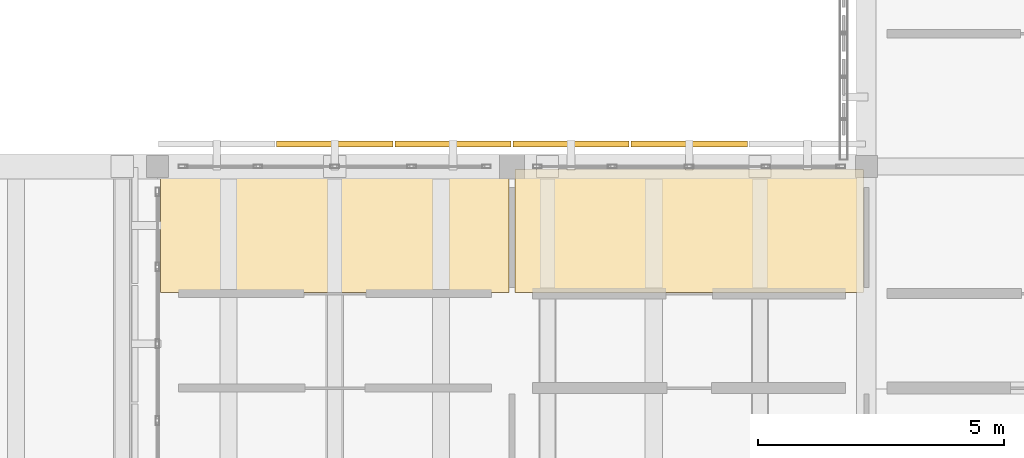
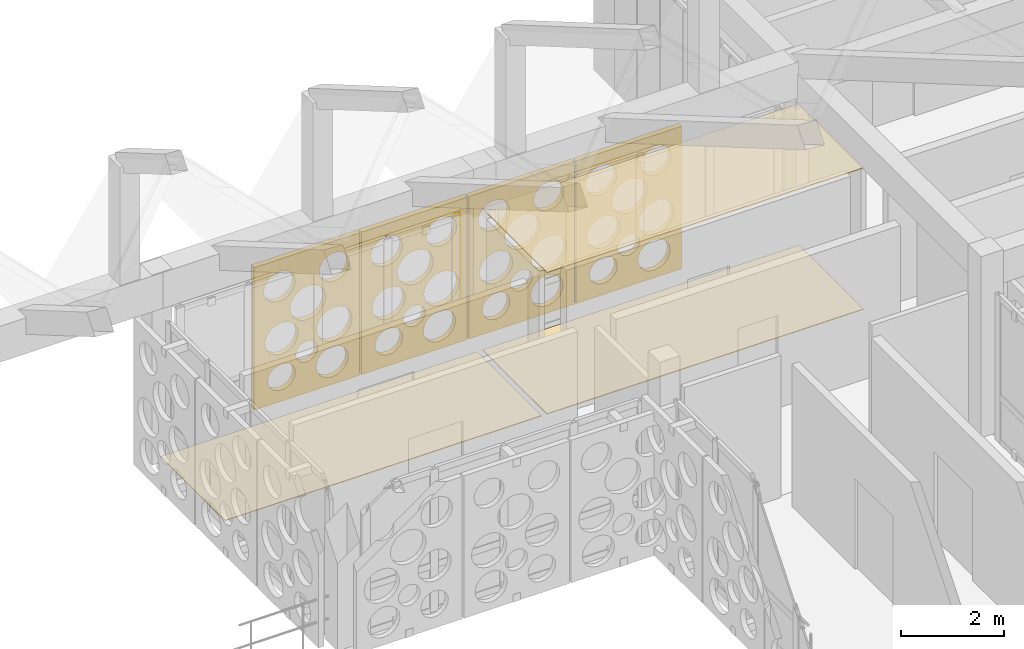
# One storey, part 167 of 171: 7 coverings.
"""IFC4 building model written with IfcOpenShell, lengths in metres."""

import ifcopenshell
import ifcopenshell.guid

model = None  # the IFC model being written
_history = None  # IfcOwnerHistory: only IFC2X3 demands one
_inside = {}  # id of a spatial element -> (the spatial element, [elements in it])
_under = {}  # id of a project, library or spatial element -> (it, [spatial elements below it])
_declared = {}  # id of a project -> (the project, [libraries it declares])
_typed = {}  # id of a type object -> (the type object, [elements of that type])
_made_of = {}  # id of a material, layer set ... -> (it, [elements and type objects made of it])


def new_model(schema):
    """Start an empty IFC model of exactly this schema.

    Asked for "IFC4X3", IfcOpenShell would pick the latest addendum, in which some entities
    have other attributes; the version numbers below select the first issue.
    IFC2X3 requires an IfcOwnerHistory on every rooted entity: one is made here for all.
    """
    global model, _history
    if schema == "IFC4X3":
        model = ifcopenshell.file(schema_version=(4, 3, 0, 0))
    else:
        model = ifcopenshell.file(schema=schema)
    _inside.clear()
    _under.clear()
    _declared.clear()
    _typed.clear()
    _made_of.clear()
    _history = None
    if model.schema == "IFC2X3":
        org = make("IfcOrganization", Name="unknown")
        user = make(
            "IfcPersonAndOrganization",
            ThePerson=make("IfcPerson", FamilyName="unknown"),
            TheOrganization=org,
        )
        app = make(
            "IfcApplication",
            ApplicationDeveloper=org,
            Version="unknown",
            ApplicationFullName="unknown",
            ApplicationIdentifier="unknown",
        )
        _history = make(
            "IfcOwnerHistory",
            OwningUser=user,
            OwningApplication=app,
            ChangeAction="ADDED",
            CreationDate=0,
        )
    return model


def make(cls, **values):
    """One entity of the class cls with the attributes given. An attribute that is None is left unset."""
    return model.create_entity(
        cls, **{name: value for name, value in values.items() if value is not None}
    )


def rooted(cls, **values):
    """An entity with a GlobalId (a new one), such as an element, a storey or a relation."""
    return make(cls, GlobalId=ifcopenshell.guid.new(), OwnerHistory=_history, **values)


def si_unit(unit_type, name, prefix=None):
    """IfcSIUnit, for example si_unit("LENGTHUNIT", "METRE", prefix="MILLI")."""
    return make("IfcSIUnit", UnitType=unit_type, Prefix=prefix, Name=name)


def assignment(units):
    """IfcUnitAssignment: the units of a project."""
    return None if units is None else make("IfcUnitAssignment", Units=units)


def point(xyz):
    """IfcCartesianPoint."""
    return None if xyz is None else make("IfcCartesianPoint", Coordinates=xyz)


def direction(xyz):
    """IfcDirection."""
    return None if xyz is None else make("IfcDirection", DirectionRatios=xyz)


def frame(location, z_axis=None, x_axis=None):
    """IfcAxis2Placement3D, a coordinate frame: its origin and axes. An axis left out is left unset."""
    return make(
        "IfcAxis2Placement3D",
        Location=point(location),
        Axis=direction(z_axis),
        RefDirection=direction(x_axis),
    )


def origin():
    """The frame at (0, 0, 0) with its axes left unset."""
    return frame((0.0, 0.0, 0.0))


def place(relative_to, where):
    """IfcLocalPlacement: puts the frame where relative to a parent placement (None: the world)."""
    return make(
        "IfcLocalPlacement", PlacementRelTo=relative_to, RelativePlacement=where
    )


def context(
    kind, dimensions, precision=None, world=None, true_north=None, identifier=None
):
    """IfcGeometricRepresentationContext, for example the 3D "Model" context."""
    return make(
        "IfcGeometricRepresentationContext",
        ContextIdentifier=identifier,
        ContextType=kind,
        CoordinateSpaceDimension=dimensions,
        Precision=precision,
        WorldCoordinateSystem=world,
        TrueNorth=true_north,
    )


def subcontext(parent, identifier, kind, view, scale=None):
    """IfcGeometricRepresentationSubContext, for example "Body" below "Model"."""
    return make(
        "IfcGeometricRepresentationSubContext",
        ContextIdentifier=identifier,
        ContextType=kind,
        ParentContext=parent,
        TargetScale=scale,
        TargetView=view,
    )


def project(units=None, contexts=None):
    """IfcProject with its units and contexts."""
    return rooted(
        "IfcProject",
        Name="project",
        RepresentationContexts=contexts,
        UnitsInContext=assignment(units),
    )


def spatial(cls, under=None, at=None, **own):
    """A site, building, storey or space (cls), placed at a placement, below another one or the project."""
    s = rooted(cls, ObjectPlacement=at, **own)
    if under is not None:
        _under.setdefault(under.id(), (under, []))[1].append(s)
    return s


def polyline(points):
    """IfcPolyline through the points."""
    return make("IfcPolyline", Points=[point(p) for p in points])


def outline(outer, holes=None, kind="AREA"):
    """IfcArbitraryClosedProfileDef: a profile drawn as a closed curve; with holes, ...WithVoids."""
    if holes is None:
        return make("IfcArbitraryClosedProfileDef", ProfileType=kind, OuterCurve=outer)
    return make(
        "IfcArbitraryProfileDefWithVoids",
        ProfileType=kind,
        OuterCurve=outer,
        InnerCurves=holes,
    )


def extrude(swept, where, along, depth):
    """IfcExtrudedAreaSolid: the profile swept, set in the frame where, extruded along a direction by depth."""
    return make(
        "IfcExtrudedAreaSolid",
        SweptArea=swept,
        Position=where,
        ExtrudedDirection=direction(along),
        Depth=depth,
    )


def shape(context_of_items, identifier, shape_type, items):
    """IfcShapeRepresentation: the items that make up one representation, for example the "Body"."""
    return make(
        "IfcShapeRepresentation",
        ContextOfItems=context_of_items,
        RepresentationIdentifier=identifier,
        RepresentationType=shape_type,
        Items=items,
    )


def material(Name=None, Category=None):
    """IfcMaterial."""
    return make("IfcMaterial", Name=Name, Category=Category)


def layer(
    of_material, thickness, ventilated=None, Name=None, Category=None, Priority=None
):
    """IfcMaterialLayer: one layer of a wall or slab, of a material (None: an air gap)."""
    return make(
        "IfcMaterialLayer",
        Material=of_material,
        LayerThickness=thickness,
        IsVentilated=ventilated,
        Name=Name,
        Category=Category,
        Priority=Priority,
    )


def layer_set(layers, Name=None):
    """IfcMaterialLayerSet."""
    return make("IfcMaterialLayerSet", MaterialLayers=layers, LayerSetName=Name)


def made_of(thing, what):
    """Note that an element or type object is made of a material, layer set ...; save() writes the relation."""
    if what is not None:
        _made_of.setdefault(what.id(), (what, []))[1].append(thing)
    return thing


def type_object(cls, material=None, **own):
    """A type object (cls), such as IfcWallType, which elements share."""
    return made_of(rooted(cls, **own), material)


def element(
    cls,
    number,
    at=None,
    inside=None,
    cuts=None,
    type_object=None,
    material=None,
    context=None,
    identifier="Body",
    shape_type=None,
    held_by="IfcProductDefinitionShape",
    body=None,
    shapes=None,
    **own,
):
    """One element of the class cls, such as IfcWall. Its Tag is "e" and its number.

    at: its placement. inside: the storey or other place that contains it. cuts: it is an
    opening in that element (IfcRelVoidsElement). A single representation is given by context,
    identifier, shape_type and body (its items); several are given by shapes. held_by: the class
    of the entity that holds the representations. save() writes the other relations.
    """
    e = rooted(cls, Tag="e%d" % number, ObjectPlacement=at, **own)
    if body is not None:
        shapes = [shape(context, identifier, shape_type, body)]
    if shapes is not None:
        e.Representation = make(held_by, Representations=shapes)
    if inside is not None:
        _inside.setdefault(inside.id(), (inside, []))[1].append(e)
    if cuts is not None:
        rooted(
            "IfcRelVoidsElement", RelatingBuildingElement=cuts, RelatedOpeningElement=e
        )
    if type_object is not None:
        _typed.setdefault(type_object.id(), (type_object, []))[1].append(e)
    return made_of(e, material)


def aggregate(whole, parts):
    """IfcRelAggregates: a whole, such as a stair, and the parts it consists of."""
    return rooted("IfcRelAggregates", RelatingObject=whole, RelatedObjects=parts)


def save(model, path):
    """Write the relations noted so far, then the file.

    IfcRelAggregates (storeys below a building ...), IfcRelContainedInSpatialStructure (elements
    in a storey), IfcRelDefinesByType, IfcRelAssociatesMaterial and IfcRelDeclares: one each for
    every whole, place, type object, material and project.
    """
    for whole, parts in _under.values():
        aggregate(whole, parts)
    for where, things in _inside.values():
        rooted(
            "IfcRelContainedInSpatialStructure",
            RelatedElements=things,
            RelatingStructure=where,
        )
    for kind, things in _typed.values():
        rooted("IfcRelDefinesByType", RelatedObjects=things, RelatingType=kind)
    for what, things in _made_of.values():
        rooted("IfcRelAssociatesMaterial", RelatedObjects=things, RelatingMaterial=what)
    for by, libraries in _declared.values():
        rooted("IfcRelDeclares", RelatingContext=by, RelatedDefinitions=libraries)
    model.write(path)


model = new_model("IFC4")

# Units and contexts
model_context = context("Model", 3, precision=1e-05, world=origin(), true_north=direction((0.0, 1.0)))
body_context = subcontext(model_context, "Body", "Model", "MODEL_VIEW")
ifc_project = project(units=[si_unit("LENGTHUNIT", "METRE"), si_unit("AREAUNIT", "SQUARE_METRE"), si_unit("VOLUMEUNIT", "CUBIC_METRE"), si_unit("PLANEANGLEUNIT", "RADIAN"), si_unit("MASSUNIT", "GRAM", prefix="KILO")], contexts=[model_context])

# Site, building, storey
site_placement = place(None, origin())
site = spatial("IfcSite", under=ifc_project, at=site_placement, CompositionType="ELEMENT")
building_placement = place(site_placement, origin())
building = spatial("IfcBuilding", under=site, at=building_placement, Name="Aldebral Square Health Centre", CompositionType="ELEMENT")
storey_placement = place(building_placement, frame((0.0, 0.0, 4.5)))
storey = spatial("IfcBuildingStorey", under=building, at=storey_placement, Name="L01", CompositionType="ELEMENT", Elevation=4.5)

# Coverings
ifc_material_1 = material(Name="Hygienic acoustic mineral ceiling tile")
ifc_layer_1 = layer(ifc_material_1, 0.02001953125, Name="Hygienic acoustic mineral ceiling tile")
ifc_layer_set_1 = layer_set([ifc_layer_1], Name="Hygienic acoustic mineral ceiling tile")
covering_type_1 = type_object("IfcCoveringType", Name="COV-CLG-AC", PredefinedType="CEILING", material=ifc_layer_set_1)
covering_1_placement = place(storey_placement, frame((0.0, 0.0, 3.340087890625)))
element("IfcCovering", 1, at=covering_1_placement, inside=storey, type_object=covering_type_1, Name="L01 Patient Information Desk 15.14N acoustic ceiling", PredefinedType="CEILING", context=body_context, shape_type="SweptSolid", body=[
    extrude(outline(polyline([(100.860107421875, 98.239990234375), (107.93994140625, 98.239990234375), (107.93994140625, 100.739990234375), (100.860107421875, 100.739990234375), (100.860107421875, 98.239990234375)])), origin(), (0.0, 0.0, 1.0), 0.02001953125),
])
ifc_material_2 = material(Name="Antimicrobial clinical vinyl flooring")
ifc_layer_2 = layer(ifc_material_2, 0.014892578125, Name="Antimicrobial clinical vinyl flooring")
ifc_layer_set_2 = layer_set([ifc_layer_2], Name="Antimicrobial clinical vinyl flooring")
covering_type_2 = type_object("IfcCoveringType", Name="COV-FLR-VN", PredefinedType="FLOORING", material=ifc_layer_set_2)
covering_2_placement = place(storey_placement, origin())
element("IfcCovering", 2, at=covering_2_placement, inside=storey, type_object=covering_type_2, Name="L01 Patient Information Desk 14.14N clinical flooring", PredefinedType="FLOORING", context=body_context, shape_type="SweptSolid", body=[
    extrude(outline(polyline([(93.659912109375, 98.239990234375), (100.739990234375, 98.239990234375), (100.739990234375, 100.739990234375), (93.659912109375, 100.739990234375), (93.659912109375, 98.239990234375)])), origin(), (0.0, 0.0, 1.0), 0.014892578125),
])
covering_3_placement = place(storey_placement, origin())
element("IfcCovering", 3, at=covering_3_placement, inside=storey, type_object=covering_type_2, Name="L01 Patient Information Desk 15.14N clinical flooring", PredefinedType="FLOORING", context=body_context, shape_type="SweptSolid", body=[
    extrude(outline(polyline([(100.860107421875, 98.239990234375), (107.93994140625, 98.239990234375), (107.93994140625, 100.739990234375), (100.860107421875, 100.739990234375), (100.860107421875, 98.239990234375)])), origin(), (0.0, 0.0, 1.0), 0.014892578125),
])
ifc_material_3 = material(Name="Cream cantera perforated stone screen", Category="masonry")
ifc_layer_3 = layer(ifc_material_3, 0.1201171875, Name="Cream cantera perforated stone screen", Category="masonry")
ifc_layer_set_3 = layer_set([ifc_layer_3], Name="Cream cantera perforated stone screen")
covering_type_3 = type_object("IfcCoveringType", Name="COV-SCR-120", PredefinedType="CLADDING", material=ifc_layer_set_3)
covering_4_placement = place(storey_placement, frame((100.780029296875, 101.260009765625, 0.0), z_axis=(0.0, 0.0, 1.0), x_axis=(-1.0, 0.0, 0.0)))
element("IfcCovering", 4, at=covering_4_placement, inside=storey, type_object=covering_type_3, Name="L01 V1 circular-aperture stone screen L01-V1-13-13-N.1", PredefinedType="CLADDING", context=body_context, shape_type="SweptSolid", body=[
    extrude(outline(polyline([(0.0, 0.0), (2.360107421875, 0.0), (2.360107421875, 3.3701171875), (0.0, 3.3701171875), (0.0, 0.0)]), holes=[polyline([(0.973388671875, 0.539306640625), (0.955810546875, 0.427978515625), (0.90478515625, 0.32763671875), (0.8251953125, 0.248046875), (0.724853515625, 0.197021484375), (0.613525390625, 0.17919921875), (0.50244140625, 0.197021484375), (0.402099609375, 0.248046875), (0.322509765625, 0.32763671875), (0.271240234375, 0.427978515625), (0.253662109375, 0.539306640625), (0.271240234375, 0.650390625), (0.322509765625, 0.750732421875), (0.402099609375, 0.830322265625), (0.50244140625, 0.881591796875), (0.613525390625, 0.899169921875), (0.724853515625, 0.881591796875), (0.8251953125, 0.830322265625), (0.90478515625, 0.750732421875), (0.955810546875, 0.650390625), (0.973388671875, 0.539306640625)]), polyline([(2.0546875, 0.572998046875), (2.039794921875, 0.4775390625), (1.995849609375, 0.3916015625), (1.927734375, 0.323486328125), (1.841796875, 0.279541015625), (1.746337890625, 0.264404296875), (1.651123046875, 0.279541015625), (1.565185546875, 0.323486328125), (1.496826171875, 0.3916015625), (1.453125, 0.4775390625), (1.43798828125, 0.572998046875), (1.453125, 0.668212890625), (1.496826171875, 0.754150390625), (1.565185546875, 0.822509765625), (1.651123046875, 0.8662109375), (1.746337890625, 0.88134765625), (1.841796875, 0.8662109375), (1.927734375, 0.822509765625), (1.995849609375, 0.754150390625), (2.039794921875, 0.668212890625), (2.0546875, 0.572998046875)]), polyline([(0.9619140625, 1.415283203125), (0.942626953125, 1.293212890625), (0.886474609375, 1.182861328125), (0.798828125, 1.095458984375), (0.688720703125, 1.039306640625), (0.56640625, 1.02001953125), (0.444091796875, 1.039306640625), (0.333984375, 1.095458984375), (0.246337890625, 1.182861328125), (0.190185546875, 1.293212890625), (0.1708984375, 1.415283203125), (0.190185546875, 1.53759765625), (0.246337890625, 1.64794921875), (0.333984375, 1.7353515625), (0.444091796875, 1.79150390625), (0.56640625, 1.810791015625), (0.688720703125, 1.79150390625), (0.798828125, 1.7353515625), (0.886474609375, 1.64794921875), (0.942626953125, 1.53759765625), (0.9619140625, 1.415283203125)]), polyline([(2.117919921875, 1.48291015625), (2.099853515625, 1.367919921875), (2.047119140625, 1.264404296875), (1.96484375, 1.18212890625), (1.861328125, 1.12939453125), (1.746337890625, 1.111083984375), (1.631591796875, 1.12939453125), (1.528076171875, 1.18212890625), (1.44580078125, 1.264404296875), (1.39306640625, 1.367919921875), (1.374755859375, 1.48291015625), (1.39306640625, 1.59765625), (1.44580078125, 1.701171875), (1.528076171875, 1.783447265625), (1.631591796875, 1.836181640625), (1.746337890625, 1.8544921875), (1.861328125, 1.836181640625), (1.96484375, 1.783447265625), (2.047119140625, 1.701171875), (2.099853515625, 1.59765625), (2.117919921875, 1.48291015625)]), polyline([(1.4248046875, 0.977294921875), (1.412841796875, 0.901611328125), (1.3779296875, 0.83349609375), (1.32373046875, 0.779296875), (1.255615234375, 0.74462890625), (1.179931640625, 0.732666015625), (1.1044921875, 0.74462890625), (1.0361328125, 0.779296875), (0.98193359375, 0.83349609375), (0.947265625, 0.901611328125), (0.935302734375, 0.977294921875), (0.947265625, 1.052978515625), (0.98193359375, 1.12109375), (1.0361328125, 1.17529296875), (1.1044921875, 1.2099609375), (1.179931640625, 1.221923828125), (1.255615234375, 1.2099609375), (1.32373046875, 1.17529296875), (1.3779296875, 1.12109375), (1.412841796875, 1.052978515625), (1.4248046875, 0.977294921875)]), polyline([(1.555419921875, 2.123046875), (1.535888671875, 1.999755859375), (1.479248046875, 1.888427734375), (1.390869140625, 1.80029296875), (1.27978515625, 1.74365234375), (1.156494140625, 1.72412109375), (1.032958984375, 1.74365234375), (0.921875, 1.80029296875), (0.83349609375, 1.888427734375), (0.77685546875, 1.999755859375), (0.75732421875, 2.123046875), (0.77685546875, 2.246337890625), (0.83349609375, 2.357666015625), (0.921875, 2.446044921875), (1.032958984375, 2.502685546875), (1.156494140625, 2.522216796875), (1.27978515625, 2.502685546875), (1.390869140625, 2.446044921875), (1.479248046875, 2.357666015625), (1.535888671875, 2.246337890625), (1.555419921875, 2.123046875)]), polyline([(0.904296875, 2.763427734375), (0.8876953125, 2.658935546875), (0.839599609375, 2.56494140625), (0.764892578125, 2.490234375), (0.6708984375, 2.442138671875), (0.56640625, 2.425537109375), (0.4619140625, 2.442138671875), (0.367919921875, 2.490234375), (0.293212890625, 2.56494140625), (0.2451171875, 2.658935546875), (0.228515625, 2.763427734375), (0.2451171875, 2.86767578125), (0.293212890625, 2.9619140625), (0.367919921875, 3.03662109375), (0.4619140625, 3.084716796875), (0.56640625, 3.101318359375), (0.6708984375, 3.084716796875), (0.764892578125, 3.03662109375), (0.839599609375, 2.9619140625), (0.8876953125, 2.86767578125), (0.904296875, 2.763427734375)]), polyline([(2.14599609375, 2.729736328125), (2.12890625, 2.620849609375), (2.078857421875, 2.5224609375), (2.000732421875, 2.444580078125), (1.902587890625, 2.39453125), (1.793701171875, 2.377197265625), (1.6845703125, 2.39453125), (1.58642578125, 2.444580078125), (1.50830078125, 2.5224609375), (1.458251953125, 2.620849609375), (1.441162109375, 2.729736328125), (1.458251953125, 2.838623046875), (1.50830078125, 2.93701171875), (1.58642578125, 3.014892578125), (1.6845703125, 3.06494140625), (1.793701171875, 3.082275390625), (1.902587890625, 3.06494140625), (2.000732421875, 3.014892578125), (2.078857421875, 2.93701171875), (2.12890625, 2.838623046875), (2.14599609375, 2.729736328125)])]), frame((0.0, 0.06005859375, 0.0), z_axis=(0.0, -1.0, 0.0), x_axis=(1.0, 0.0, 0.0)), (0.0, 0.0, 1.0), 0.1201171875),
])
covering_5_placement = place(storey_placement, frame((98.3798828125, 101.260009765625, 0.0), z_axis=(0.0, 0.0, 1.0), x_axis=(-1.0, 0.0, 0.0)))
element("IfcCovering", 5, at=covering_5_placement, inside=storey, type_object=covering_type_3, Name="L01 V1 circular-aperture stone screen L01-V1-13-13-N.2", PredefinedType="CLADDING", context=body_context, shape_type="SweptSolid", body=[
    extrude(outline(polyline([(0.0, 0.0), (2.35986328125, 0.0), (2.35986328125, 3.3701171875), (0.0, 3.3701171875), (0.0, 0.0)]), holes=[polyline([(0.973388671875, 0.539306640625), (0.955810546875, 0.427978515625), (0.90478515625, 0.32763671875), (0.8251953125, 0.248046875), (0.724853515625, 0.197021484375), (0.613525390625, 0.17919921875), (0.50244140625, 0.197021484375), (0.402099609375, 0.248046875), (0.322509765625, 0.32763671875), (0.271240234375, 0.427978515625), (0.253662109375, 0.539306640625), (0.271240234375, 0.650390625), (0.322509765625, 0.750732421875), (0.402099609375, 0.830322265625), (0.50244140625, 0.881591796875), (0.613525390625, 0.899169921875), (0.724853515625, 0.881591796875), (0.8251953125, 0.830322265625), (0.90478515625, 0.750732421875), (0.955810546875, 0.650390625), (0.973388671875, 0.539306640625)]), polyline([(2.0546875, 0.572998046875), (2.039794921875, 0.4775390625), (1.995849609375, 0.3916015625), (1.927734375, 0.323486328125), (1.841796875, 0.279541015625), (1.746337890625, 0.264404296875), (1.651123046875, 0.279541015625), (1.565185546875, 0.323486328125), (1.496826171875, 0.3916015625), (1.453125, 0.4775390625), (1.43798828125, 0.572998046875), (1.453125, 0.668212890625), (1.496826171875, 0.754150390625), (1.565185546875, 0.822509765625), (1.651123046875, 0.8662109375), (1.746337890625, 0.88134765625), (1.841796875, 0.8662109375), (1.927734375, 0.822509765625), (1.995849609375, 0.754150390625), (2.039794921875, 0.668212890625), (2.0546875, 0.572998046875)]), polyline([(0.9619140625, 1.415283203125), (0.942626953125, 1.293212890625), (0.886474609375, 1.182861328125), (0.798828125, 1.095458984375), (0.688720703125, 1.039306640625), (0.56640625, 1.02001953125), (0.444091796875, 1.039306640625), (0.333984375, 1.095458984375), (0.246337890625, 1.182861328125), (0.190185546875, 1.293212890625), (0.1708984375, 1.415283203125), (0.190185546875, 1.53759765625), (0.246337890625, 1.64794921875), (0.333984375, 1.7353515625), (0.444091796875, 1.79150390625), (0.56640625, 1.810791015625), (0.688720703125, 1.79150390625), (0.798828125, 1.7353515625), (0.886474609375, 1.64794921875), (0.942626953125, 1.53759765625), (0.9619140625, 1.415283203125)]), polyline([(2.117919921875, 1.48291015625), (2.099853515625, 1.367919921875), (2.047119140625, 1.264404296875), (1.96484375, 1.18212890625), (1.861328125, 1.12939453125), (1.746337890625, 1.111083984375), (1.631591796875, 1.12939453125), (1.528076171875, 1.18212890625), (1.44580078125, 1.264404296875), (1.39306640625, 1.367919921875), (1.374755859375, 1.48291015625), (1.39306640625, 1.59765625), (1.44580078125, 1.701171875), (1.528076171875, 1.783447265625), (1.631591796875, 1.836181640625), (1.746337890625, 1.8544921875), (1.861328125, 1.836181640625), (1.96484375, 1.783447265625), (2.047119140625, 1.701171875), (2.099853515625, 1.59765625), (2.117919921875, 1.48291015625)]), polyline([(1.4248046875, 0.977294921875), (1.412841796875, 0.901611328125), (1.3779296875, 0.83349609375), (1.32373046875, 0.779296875), (1.255615234375, 0.74462890625), (1.179931640625, 0.732666015625), (1.1044921875, 0.74462890625), (1.0361328125, 0.779296875), (0.98193359375, 0.83349609375), (0.947265625, 0.901611328125), (0.935302734375, 0.977294921875), (0.947265625, 1.052978515625), (0.98193359375, 1.12109375), (1.0361328125, 1.17529296875), (1.1044921875, 1.2099609375), (1.179931640625, 1.221923828125), (1.255615234375, 1.2099609375), (1.32373046875, 1.17529296875), (1.3779296875, 1.12109375), (1.412841796875, 1.052978515625), (1.4248046875, 0.977294921875)]), polyline([(1.555419921875, 2.123046875), (1.535888671875, 1.999755859375), (1.479248046875, 1.888427734375), (1.390869140625, 1.80029296875), (1.27978515625, 1.74365234375), (1.156494140625, 1.72412109375), (1.032958984375, 1.74365234375), (0.921875, 1.80029296875), (0.83349609375, 1.888427734375), (0.77685546875, 1.999755859375), (0.75732421875, 2.123046875), (0.77685546875, 2.246337890625), (0.83349609375, 2.357666015625), (0.921875, 2.446044921875), (1.032958984375, 2.502685546875), (1.156494140625, 2.522216796875), (1.27978515625, 2.502685546875), (1.390869140625, 2.446044921875), (1.479248046875, 2.357666015625), (1.535888671875, 2.246337890625), (1.555419921875, 2.123046875)]), polyline([(0.904296875, 2.763427734375), (0.8876953125, 2.658935546875), (0.839599609375, 2.56494140625), (0.764892578125, 2.490234375), (0.6708984375, 2.442138671875), (0.56640625, 2.425537109375), (0.4619140625, 2.442138671875), (0.367919921875, 2.490234375), (0.293212890625, 2.56494140625), (0.2451171875, 2.658935546875), (0.228515625, 2.763427734375), (0.2451171875, 2.86767578125), (0.293212890625, 2.9619140625), (0.367919921875, 3.03662109375), (0.4619140625, 3.084716796875), (0.56640625, 3.101318359375), (0.6708984375, 3.084716796875), (0.764892578125, 3.03662109375), (0.839599609375, 2.9619140625), (0.8876953125, 2.86767578125), (0.904296875, 2.763427734375)]), polyline([(2.14599609375, 2.729736328125), (2.12890625, 2.620849609375), (2.078857421875, 2.5224609375), (2.000732421875, 2.444580078125), (1.902587890625, 2.39453125), (1.793701171875, 2.377197265625), (1.6845703125, 2.39453125), (1.58642578125, 2.444580078125), (1.50830078125, 2.5224609375), (1.458251953125, 2.620849609375), (1.441162109375, 2.729736328125), (1.458251953125, 2.838623046875), (1.50830078125, 2.93701171875), (1.58642578125, 3.014892578125), (1.6845703125, 3.06494140625), (1.793701171875, 3.082275390625), (1.902587890625, 3.06494140625), (2.000732421875, 3.014892578125), (2.078857421875, 2.93701171875), (2.12890625, 2.838623046875), (2.14599609375, 2.729736328125)])]), frame((0.0, 0.06005859375, 0.0), z_axis=(0.0, -1.0, 0.0), x_axis=(1.0, 0.0, 0.0)), (0.0, 0.0, 1.0), 0.1201171875),
])
covering_6_placement = place(storey_placement, frame((105.580078125, 101.260009765625, 0.0), z_axis=(0.0, 0.0, 1.0), x_axis=(-1.0, 0.0, 0.0)))
element("IfcCovering", 6, at=covering_6_placement, inside=storey, type_object=covering_type_3, Name="L01 V1 circular-aperture stone screen L01-V1-14-13-N.2", PredefinedType="CLADDING", context=body_context, shape_type="SweptSolid", body=[
    extrude(outline(polyline([(0.0, 0.0), (2.360107421875, 0.0), (2.360107421875, 3.3701171875), (0.0, 3.3701171875), (0.0, 0.0)]), holes=[polyline([(0.973388671875, 0.539306640625), (0.955810546875, 0.427978515625), (0.90478515625, 0.32763671875), (0.8251953125, 0.248046875), (0.724853515625, 0.197021484375), (0.613525390625, 0.17919921875), (0.50244140625, 0.197021484375), (0.402099609375, 0.248046875), (0.322509765625, 0.32763671875), (0.271240234375, 0.427978515625), (0.253662109375, 0.539306640625), (0.271240234375, 0.650390625), (0.322509765625, 0.750732421875), (0.402099609375, 0.830322265625), (0.50244140625, 0.881591796875), (0.613525390625, 0.899169921875), (0.724853515625, 0.881591796875), (0.8251953125, 0.830322265625), (0.90478515625, 0.750732421875), (0.955810546875, 0.650390625), (0.973388671875, 0.539306640625)]), polyline([(2.0546875, 0.572998046875), (2.039794921875, 0.4775390625), (1.995849609375, 0.3916015625), (1.927734375, 0.323486328125), (1.841796875, 0.279541015625), (1.746337890625, 0.264404296875), (1.651123046875, 0.279541015625), (1.565185546875, 0.323486328125), (1.496826171875, 0.3916015625), (1.453125, 0.4775390625), (1.43798828125, 0.572998046875), (1.453125, 0.668212890625), (1.496826171875, 0.754150390625), (1.565185546875, 0.822509765625), (1.651123046875, 0.8662109375), (1.746337890625, 0.88134765625), (1.841796875, 0.8662109375), (1.927734375, 0.822509765625), (1.995849609375, 0.754150390625), (2.039794921875, 0.668212890625), (2.0546875, 0.572998046875)]), polyline([(0.9619140625, 1.415283203125), (0.942626953125, 1.293212890625), (0.886474609375, 1.182861328125), (0.798828125, 1.095458984375), (0.688720703125, 1.039306640625), (0.56640625, 1.02001953125), (0.444091796875, 1.039306640625), (0.333984375, 1.095458984375), (0.246337890625, 1.182861328125), (0.190185546875, 1.293212890625), (0.1708984375, 1.415283203125), (0.190185546875, 1.53759765625), (0.246337890625, 1.64794921875), (0.333984375, 1.7353515625), (0.444091796875, 1.79150390625), (0.56640625, 1.810791015625), (0.688720703125, 1.79150390625), (0.798828125, 1.7353515625), (0.886474609375, 1.64794921875), (0.942626953125, 1.53759765625), (0.9619140625, 1.415283203125)]), polyline([(2.117919921875, 1.48291015625), (2.099853515625, 1.367919921875), (2.047119140625, 1.264404296875), (1.96484375, 1.18212890625), (1.861328125, 1.12939453125), (1.746337890625, 1.111083984375), (1.631591796875, 1.12939453125), (1.528076171875, 1.18212890625), (1.44580078125, 1.264404296875), (1.39306640625, 1.367919921875), (1.374755859375, 1.48291015625), (1.39306640625, 1.59765625), (1.44580078125, 1.701171875), (1.528076171875, 1.783447265625), (1.631591796875, 1.836181640625), (1.746337890625, 1.8544921875), (1.861328125, 1.836181640625), (1.96484375, 1.783447265625), (2.047119140625, 1.701171875), (2.099853515625, 1.59765625), (2.117919921875, 1.48291015625)]), polyline([(1.4248046875, 0.977294921875), (1.412841796875, 0.901611328125), (1.3779296875, 0.83349609375), (1.32373046875, 0.779296875), (1.255615234375, 0.74462890625), (1.179931640625, 0.732666015625), (1.1044921875, 0.74462890625), (1.0361328125, 0.779296875), (0.98193359375, 0.83349609375), (0.947265625, 0.901611328125), (0.935302734375, 0.977294921875), (0.947265625, 1.052978515625), (0.98193359375, 1.12109375), (1.0361328125, 1.17529296875), (1.1044921875, 1.2099609375), (1.179931640625, 1.221923828125), (1.255615234375, 1.2099609375), (1.32373046875, 1.17529296875), (1.3779296875, 1.12109375), (1.412841796875, 1.052978515625), (1.4248046875, 0.977294921875)]), polyline([(1.555419921875, 2.123046875), (1.535888671875, 1.999755859375), (1.479248046875, 1.888427734375), (1.390869140625, 1.80029296875), (1.27978515625, 1.74365234375), (1.156494140625, 1.72412109375), (1.032958984375, 1.74365234375), (0.921875, 1.80029296875), (0.83349609375, 1.888427734375), (0.77685546875, 1.999755859375), (0.75732421875, 2.123046875), (0.77685546875, 2.246337890625), (0.83349609375, 2.357666015625), (0.921875, 2.446044921875), (1.032958984375, 2.502685546875), (1.156494140625, 2.522216796875), (1.27978515625, 2.502685546875), (1.390869140625, 2.446044921875), (1.479248046875, 2.357666015625), (1.535888671875, 2.246337890625), (1.555419921875, 2.123046875)]), polyline([(0.904296875, 2.763427734375), (0.8876953125, 2.658935546875), (0.839599609375, 2.56494140625), (0.764892578125, 2.490234375), (0.6708984375, 2.442138671875), (0.56640625, 2.425537109375), (0.4619140625, 2.442138671875), (0.367919921875, 2.490234375), (0.293212890625, 2.56494140625), (0.2451171875, 2.658935546875), (0.228515625, 2.763427734375), (0.2451171875, 2.86767578125), (0.293212890625, 2.9619140625), (0.367919921875, 3.03662109375), (0.4619140625, 3.084716796875), (0.56640625, 3.101318359375), (0.6708984375, 3.084716796875), (0.764892578125, 3.03662109375), (0.839599609375, 2.9619140625), (0.8876953125, 2.86767578125), (0.904296875, 2.763427734375)]), polyline([(2.14599609375, 2.729736328125), (2.12890625, 2.620849609375), (2.078857421875, 2.5224609375), (2.000732421875, 2.444580078125), (1.902587890625, 2.39453125), (1.793701171875, 2.377197265625), (1.6845703125, 2.39453125), (1.58642578125, 2.444580078125), (1.50830078125, 2.5224609375), (1.458251953125, 2.620849609375), (1.441162109375, 2.729736328125), (1.458251953125, 2.838623046875), (1.50830078125, 2.93701171875), (1.58642578125, 3.014892578125), (1.6845703125, 3.06494140625), (1.793701171875, 3.082275390625), (1.902587890625, 3.06494140625), (2.000732421875, 3.014892578125), (2.078857421875, 2.93701171875), (2.12890625, 2.838623046875), (2.14599609375, 2.729736328125)])]), frame((0.0, 0.06005859375, 0.0), z_axis=(0.0, -1.0, 0.0), x_axis=(1.0, 0.0, 0.0)), (0.0, 0.0, 1.0), 0.1201171875),
])
covering_7_placement = place(storey_placement, frame((103.179931640625, 101.260009765625, 0.0), z_axis=(0.0, 0.0, 1.0), x_axis=(-1.0, 0.0, 0.0)))
element("IfcCovering", 7, at=covering_7_placement, inside=storey, type_object=covering_type_3, Name="L01 V1 circular-aperture stone screen L01-V1-14-13-N.3", PredefinedType="CLADDING", context=body_context, shape_type="SweptSolid", body=[
    extrude(outline(polyline([(0.0, 0.0), (2.35986328125, 0.0), (2.35986328125, 3.3701171875), (0.0, 3.3701171875), (0.0, 0.0)]), holes=[polyline([(0.973388671875, 0.539306640625), (0.955810546875, 0.427978515625), (0.90478515625, 0.32763671875), (0.8251953125, 0.248046875), (0.724853515625, 0.197021484375), (0.613525390625, 0.17919921875), (0.50244140625, 0.197021484375), (0.402099609375, 0.248046875), (0.322509765625, 0.32763671875), (0.271240234375, 0.427978515625), (0.253662109375, 0.539306640625), (0.271240234375, 0.650390625), (0.322509765625, 0.750732421875), (0.402099609375, 0.830322265625), (0.50244140625, 0.881591796875), (0.613525390625, 0.899169921875), (0.724853515625, 0.881591796875), (0.8251953125, 0.830322265625), (0.90478515625, 0.750732421875), (0.955810546875, 0.650390625), (0.973388671875, 0.539306640625)]), polyline([(2.0546875, 0.572998046875), (2.039794921875, 0.4775390625), (1.995849609375, 0.3916015625), (1.927734375, 0.323486328125), (1.841796875, 0.279541015625), (1.746337890625, 0.264404296875), (1.651123046875, 0.279541015625), (1.565185546875, 0.323486328125), (1.496826171875, 0.3916015625), (1.453125, 0.4775390625), (1.43798828125, 0.572998046875), (1.453125, 0.668212890625), (1.496826171875, 0.754150390625), (1.565185546875, 0.822509765625), (1.651123046875, 0.8662109375), (1.746337890625, 0.88134765625), (1.841796875, 0.8662109375), (1.927734375, 0.822509765625), (1.995849609375, 0.754150390625), (2.039794921875, 0.668212890625), (2.0546875, 0.572998046875)]), polyline([(0.9619140625, 1.415283203125), (0.942626953125, 1.293212890625), (0.886474609375, 1.182861328125), (0.798828125, 1.095458984375), (0.688720703125, 1.039306640625), (0.56640625, 1.02001953125), (0.444091796875, 1.039306640625), (0.333984375, 1.095458984375), (0.246337890625, 1.182861328125), (0.190185546875, 1.293212890625), (0.1708984375, 1.415283203125), (0.190185546875, 1.53759765625), (0.246337890625, 1.64794921875), (0.333984375, 1.7353515625), (0.444091796875, 1.79150390625), (0.56640625, 1.810791015625), (0.688720703125, 1.79150390625), (0.798828125, 1.7353515625), (0.886474609375, 1.64794921875), (0.942626953125, 1.53759765625), (0.9619140625, 1.415283203125)]), polyline([(2.117919921875, 1.48291015625), (2.099853515625, 1.367919921875), (2.047119140625, 1.264404296875), (1.96484375, 1.18212890625), (1.861328125, 1.12939453125), (1.746337890625, 1.111083984375), (1.631591796875, 1.12939453125), (1.528076171875, 1.18212890625), (1.44580078125, 1.264404296875), (1.39306640625, 1.367919921875), (1.374755859375, 1.48291015625), (1.39306640625, 1.59765625), (1.44580078125, 1.701171875), (1.528076171875, 1.783447265625), (1.631591796875, 1.836181640625), (1.746337890625, 1.8544921875), (1.861328125, 1.836181640625), (1.96484375, 1.783447265625), (2.047119140625, 1.701171875), (2.099853515625, 1.59765625), (2.117919921875, 1.48291015625)]), polyline([(1.4248046875, 0.977294921875), (1.412841796875, 0.901611328125), (1.3779296875, 0.83349609375), (1.32373046875, 0.779296875), (1.255615234375, 0.74462890625), (1.179931640625, 0.732666015625), (1.1044921875, 0.74462890625), (1.0361328125, 0.779296875), (0.98193359375, 0.83349609375), (0.947265625, 0.901611328125), (0.935302734375, 0.977294921875), (0.947265625, 1.052978515625), (0.98193359375, 1.12109375), (1.0361328125, 1.17529296875), (1.1044921875, 1.2099609375), (1.179931640625, 1.221923828125), (1.255615234375, 1.2099609375), (1.32373046875, 1.17529296875), (1.3779296875, 1.12109375), (1.412841796875, 1.052978515625), (1.4248046875, 0.977294921875)]), polyline([(1.555419921875, 2.123046875), (1.535888671875, 1.999755859375), (1.479248046875, 1.888427734375), (1.390869140625, 1.80029296875), (1.27978515625, 1.74365234375), (1.156494140625, 1.72412109375), (1.032958984375, 1.74365234375), (0.921875, 1.80029296875), (0.83349609375, 1.888427734375), (0.77685546875, 1.999755859375), (0.75732421875, 2.123046875), (0.77685546875, 2.246337890625), (0.83349609375, 2.357666015625), (0.921875, 2.446044921875), (1.032958984375, 2.502685546875), (1.156494140625, 2.522216796875), (1.27978515625, 2.502685546875), (1.390869140625, 2.446044921875), (1.479248046875, 2.357666015625), (1.535888671875, 2.246337890625), (1.555419921875, 2.123046875)]), polyline([(0.904296875, 2.763427734375), (0.8876953125, 2.658935546875), (0.839599609375, 2.56494140625), (0.764892578125, 2.490234375), (0.6708984375, 2.442138671875), (0.56640625, 2.425537109375), (0.4619140625, 2.442138671875), (0.367919921875, 2.490234375), (0.293212890625, 2.56494140625), (0.2451171875, 2.658935546875), (0.228515625, 2.763427734375), (0.2451171875, 2.86767578125), (0.293212890625, 2.9619140625), (0.367919921875, 3.03662109375), (0.4619140625, 3.084716796875), (0.56640625, 3.101318359375), (0.6708984375, 3.084716796875), (0.764892578125, 3.03662109375), (0.839599609375, 2.9619140625), (0.8876953125, 2.86767578125), (0.904296875, 2.763427734375)]), polyline([(2.14599609375, 2.729736328125), (2.12890625, 2.620849609375), (2.078857421875, 2.5224609375), (2.000732421875, 2.444580078125), (1.902587890625, 2.39453125), (1.793701171875, 2.377197265625), (1.6845703125, 2.39453125), (1.58642578125, 2.444580078125), (1.50830078125, 2.5224609375), (1.458251953125, 2.620849609375), (1.441162109375, 2.729736328125), (1.458251953125, 2.838623046875), (1.50830078125, 2.93701171875), (1.58642578125, 3.014892578125), (1.6845703125, 3.06494140625), (1.793701171875, 3.082275390625), (1.902587890625, 3.06494140625), (2.000732421875, 3.014892578125), (2.078857421875, 2.93701171875), (2.12890625, 2.838623046875), (2.14599609375, 2.729736328125)])]), frame((0.0, 0.06005859375, 0.0), z_axis=(0.0, -1.0, 0.0), x_axis=(1.0, 0.0, 0.0)), (0.0, 0.0, 1.0), 0.1201171875),
])

save(model, "model.ifc")
